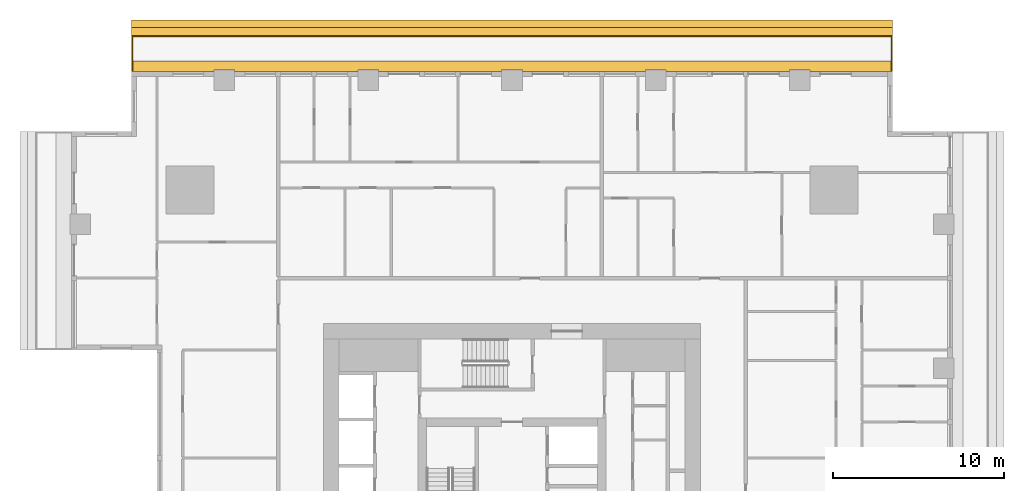
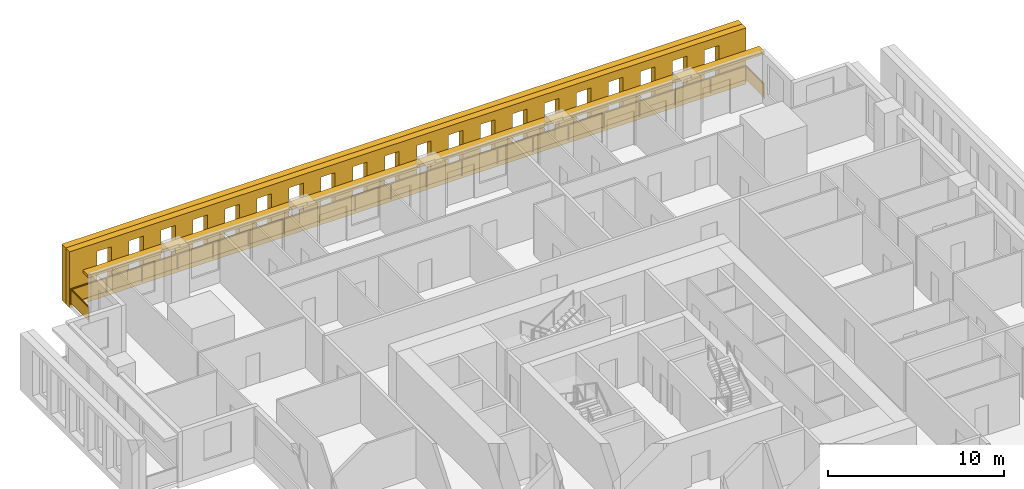
# One storey, part 14 of 14: 3 shading devices, 1 railing.
"""IFC4 building model written with IfcOpenShell, lengths in metres."""

import ifcopenshell
import ifcopenshell.guid

model = None  # the IFC model being written
_history = None  # IfcOwnerHistory: only IFC2X3 demands one
_inside = {}  # id of a spatial element -> (the spatial element, [elements in it])
_under = {}  # id of a project, library or spatial element -> (it, [spatial elements below it])
_declared = {}  # id of a project -> (the project, [libraries it declares])
_typed = {}  # id of a type object -> (the type object, [elements of that type])
_made_of = {}  # id of a material, layer set ... -> (it, [elements and type objects made of it])


def new_model(schema):
    """Start an empty IFC model of exactly this schema.

    Asked for "IFC4X3", IfcOpenShell would pick the latest addendum, in which some entities
    have other attributes; the version numbers below select the first issue.
    IFC2X3 requires an IfcOwnerHistory on every rooted entity: one is made here for all.
    """
    global model, _history
    if schema == "IFC4X3":
        model = ifcopenshell.file(schema_version=(4, 3, 0, 0))
    else:
        model = ifcopenshell.file(schema=schema)
    _inside.clear()
    _under.clear()
    _declared.clear()
    _typed.clear()
    _made_of.clear()
    _history = None
    if model.schema == "IFC2X3":
        org = make("IfcOrganization", Name="unknown")
        user = make(
            "IfcPersonAndOrganization",
            ThePerson=make("IfcPerson", FamilyName="unknown"),
            TheOrganization=org,
        )
        app = make(
            "IfcApplication",
            ApplicationDeveloper=org,
            Version="unknown",
            ApplicationFullName="unknown",
            ApplicationIdentifier="unknown",
        )
        _history = make(
            "IfcOwnerHistory",
            OwningUser=user,
            OwningApplication=app,
            ChangeAction="ADDED",
            CreationDate=0,
        )
    return model


def make(cls, **values):
    """One entity of the class cls with the attributes given. An attribute that is None is left unset."""
    return model.create_entity(
        cls, **{name: value for name, value in values.items() if value is not None}
    )


def rooted(cls, **values):
    """An entity with a GlobalId (a new one), such as an element, a storey or a relation."""
    return make(cls, GlobalId=ifcopenshell.guid.new(), OwnerHistory=_history, **values)


def si_unit(unit_type, name, prefix=None):
    """IfcSIUnit, for example si_unit("LENGTHUNIT", "METRE", prefix="MILLI")."""
    return make("IfcSIUnit", UnitType=unit_type, Prefix=prefix, Name=name)


def assignment(units):
    """IfcUnitAssignment: the units of a project."""
    return None if units is None else make("IfcUnitAssignment", Units=units)


def point(xyz):
    """IfcCartesianPoint."""
    return None if xyz is None else make("IfcCartesianPoint", Coordinates=xyz)


def direction(xyz):
    """IfcDirection."""
    return None if xyz is None else make("IfcDirection", DirectionRatios=xyz)


def frame(location, z_axis=None, x_axis=None):
    """IfcAxis2Placement3D, a coordinate frame: its origin and axes. An axis left out is left unset."""
    return make(
        "IfcAxis2Placement3D",
        Location=point(location),
        Axis=direction(z_axis),
        RefDirection=direction(x_axis),
    )


def frame_2d(location, x_axis=None):
    """IfcAxis2Placement2D, a coordinate frame in the plane: its origin and x axis."""
    return make(
        "IfcAxis2Placement2D", Location=point(location), RefDirection=direction(x_axis)
    )


def origin():
    """The frame at (0, 0, 0) with its axes left unset."""
    return frame((0.0, 0.0, 0.0))


def origin_2d():
    """The frame at (0, 0) in the plane with its x axis left unset."""
    return frame_2d((0.0, 0.0))


def place(relative_to, where):
    """IfcLocalPlacement: puts the frame where relative to a parent placement (None: the world)."""
    return make(
        "IfcLocalPlacement", PlacementRelTo=relative_to, RelativePlacement=where
    )


def context(
    kind, dimensions, precision=None, world=None, true_north=None, identifier=None
):
    """IfcGeometricRepresentationContext, for example the 3D "Model" context."""
    return make(
        "IfcGeometricRepresentationContext",
        ContextIdentifier=identifier,
        ContextType=kind,
        CoordinateSpaceDimension=dimensions,
        Precision=precision,
        WorldCoordinateSystem=world,
        TrueNorth=true_north,
    )


def subcontext(parent, identifier, kind, view, scale=None):
    """IfcGeometricRepresentationSubContext, for example "Body" below "Model"."""
    return make(
        "IfcGeometricRepresentationSubContext",
        ContextIdentifier=identifier,
        ContextType=kind,
        ParentContext=parent,
        TargetScale=scale,
        TargetView=view,
    )


def project(units=None, contexts=None):
    """IfcProject with its units and contexts."""
    return rooted(
        "IfcProject",
        Name="project",
        RepresentationContexts=contexts,
        UnitsInContext=assignment(units),
    )


def spatial(cls, under=None, at=None, **own):
    """A site, building, storey or space (cls), placed at a placement, below another one or the project."""
    s = rooted(cls, ObjectPlacement=at, **own)
    if under is not None:
        _under.setdefault(under.id(), (under, []))[1].append(s)
    return s


def polyline(points):
    """IfcPolyline through the points."""
    return make("IfcPolyline", Points=[point(p) for p in points])


def profile(cls, at=None, kind="AREA", **sizes):
    """A parametric profile (cls). Its sizes go by their IFC names, for example OverallWidth=200.0."""
    return make(cls, ProfileType=kind, Position=at, **sizes)


def rectangle(**sizes):
    """IfcRectangleProfileDef."""
    return profile("IfcRectangleProfileDef", **sizes)


def outline(outer, holes=None, kind="AREA"):
    """IfcArbitraryClosedProfileDef: a profile drawn as a closed curve; with holes, ...WithVoids."""
    if holes is None:
        return make("IfcArbitraryClosedProfileDef", ProfileType=kind, OuterCurve=outer)
    return make(
        "IfcArbitraryProfileDefWithVoids",
        ProfileType=kind,
        OuterCurve=outer,
        InnerCurves=holes,
    )


def extrude(swept, where, along, depth):
    """IfcExtrudedAreaSolid: the profile swept, set in the frame where, extruded along a direction by depth."""
    return make(
        "IfcExtrudedAreaSolid",
        SweptArea=swept,
        Position=where,
        ExtrudedDirection=direction(along),
        Depth=depth,
    )


def shape(context_of_items, identifier, shape_type, items):
    """IfcShapeRepresentation: the items that make up one representation, for example the "Body"."""
    return make(
        "IfcShapeRepresentation",
        ContextOfItems=context_of_items,
        RepresentationIdentifier=identifier,
        RepresentationType=shape_type,
        Items=items,
    )


def material(Name=None, Category=None):
    """IfcMaterial."""
    return make("IfcMaterial", Name=Name, Category=Category)


def layer(
    of_material, thickness, ventilated=None, Name=None, Category=None, Priority=None
):
    """IfcMaterialLayer: one layer of a wall or slab, of a material (None: an air gap)."""
    return make(
        "IfcMaterialLayer",
        Material=of_material,
        LayerThickness=thickness,
        IsVentilated=ventilated,
        Name=Name,
        Category=Category,
        Priority=Priority,
    )


def layer_set(layers, Name=None):
    """IfcMaterialLayerSet."""
    return make("IfcMaterialLayerSet", MaterialLayers=layers, LayerSetName=Name)


def made_of(thing, what):
    """Note that an element or type object is made of a material, layer set ...; save() writes the relation."""
    if what is not None:
        _made_of.setdefault(what.id(), (what, []))[1].append(thing)
    return thing


def type_object(cls, material=None, **own):
    """A type object (cls), such as IfcWallType, which elements share."""
    return made_of(rooted(cls, **own), material)


def element(
    cls,
    number,
    at=None,
    inside=None,
    cuts=None,
    type_object=None,
    material=None,
    context=None,
    identifier="Body",
    shape_type=None,
    held_by="IfcProductDefinitionShape",
    body=None,
    shapes=None,
    **own,
):
    """One element of the class cls, such as IfcWall. Its Tag is "e" and its number.

    at: its placement. inside: the storey or other place that contains it. cuts: it is an
    opening in that element (IfcRelVoidsElement). A single representation is given by context,
    identifier, shape_type and body (its items); several are given by shapes. held_by: the class
    of the entity that holds the representations. save() writes the other relations.
    """
    e = rooted(cls, Tag="e%d" % number, ObjectPlacement=at, **own)
    if body is not None:
        shapes = [shape(context, identifier, shape_type, body)]
    if shapes is not None:
        e.Representation = make(held_by, Representations=shapes)
    if inside is not None:
        _inside.setdefault(inside.id(), (inside, []))[1].append(e)
    if cuts is not None:
        rooted(
            "IfcRelVoidsElement", RelatingBuildingElement=cuts, RelatedOpeningElement=e
        )
    if type_object is not None:
        _typed.setdefault(type_object.id(), (type_object, []))[1].append(e)
    return made_of(e, material)


def aggregate(whole, parts):
    """IfcRelAggregates: a whole, such as a stair, and the parts it consists of."""
    return rooted("IfcRelAggregates", RelatingObject=whole, RelatedObjects=parts)


def save(model, path):
    """Write the relations noted so far, then the file.

    IfcRelAggregates (storeys below a building ...), IfcRelContainedInSpatialStructure (elements
    in a storey), IfcRelDefinesByType, IfcRelAssociatesMaterial and IfcRelDeclares: one each for
    every whole, place, type object, material and project.
    """
    for whole, parts in _under.values():
        aggregate(whole, parts)
    for where, things in _inside.values():
        rooted(
            "IfcRelContainedInSpatialStructure",
            RelatedElements=things,
            RelatingStructure=where,
        )
    for kind, things in _typed.values():
        rooted("IfcRelDefinesByType", RelatedObjects=things, RelatingType=kind)
    for what, things in _made_of.values():
        rooted("IfcRelAssociatesMaterial", RelatedObjects=things, RelatingMaterial=what)
    for by, libraries in _declared.values():
        rooted("IfcRelDeclares", RelatingContext=by, RelatedDefinitions=libraries)
    model.write(path)


model = new_model("IFC4")

# Units and contexts
model_context = context("Model", 3, precision=1e-05, world=origin(), true_north=direction((0.0, 1.0)))
body_context = subcontext(model_context, "Body", "Model", "MODEL_VIEW")
ifc_project = project(units=[si_unit("LENGTHUNIT", "METRE"), si_unit("AREAUNIT", "SQUARE_METRE"), si_unit("VOLUMEUNIT", "CUBIC_METRE"), si_unit("PLANEANGLEUNIT", "RADIAN"), si_unit("MASSUNIT", "GRAM", prefix="KILO")], contexts=[model_context])

# Site, building, storey
site_placement = place(None, origin())
site = spatial("IfcSite", under=ifc_project, at=site_placement, CompositionType="ELEMENT")
building_placement = place(site_placement, origin())
building = spatial("IfcBuilding", under=site, at=building_placement, Name="Khepri Terraces", CompositionType="ELEMENT")
storey_placement = place(building_placement, frame((0.0, 0.0, 106.5)))
storey = spatial("IfcBuildingStorey", under=building, at=storey_placement, Name="L25", CompositionType="ELEMENT", Elevation=106.5)

# Railing
ifc_material_1 = material(Name="Stainless steel grade 316", Category="steel")
railing_type = type_object("IfcRailingType", Name="GRD-BAL-1100", PredefinedType="GUARDRAIL", material=ifc_material_1)
railing_placement = place(storey_placement, frame((22.169921875, 25.719970703125, 0.0)))
element("IfcRailing", 1, at=railing_placement, inside=storey, type_object=railing_type, Name="Balcony guard L25 N", PredefinedType="GUARDRAIL", context=body_context, shape_type="SweptSolid", body=[
    extrude(rectangle(XDim=0.050048828125, YDim=0.06005859375, at=origin_2d()), frame((0.0, 0.0, 1.070068359375), z_axis=(0.0, 1.0, 0.0), x_axis=(-1.0, 0.0, 0.0)), (0.0, 0.0, 1.0), 2.050048828125),
    extrude(rectangle(XDim=2.0, YDim=0.011962890625, at=origin_2d()), frame((0.0, 1.02490234375, 0.10009765625), z_axis=(0.0, 0.0, 1.0), x_axis=(0.0, 1.0, 0.0)), (0.0, 0.0, 1.0), 0.93994140625),
    extrude(rectangle(XDim=0.050048828125, YDim=0.06005859375, at=origin_2d()), frame((0.0, 2.050048828125, 1.070068359375), z_axis=(-1.0, 0.0, 0.0), x_axis=(0.0, -1.0, 0.0)), (0.0, 0.0, 1.0), 44.33984375),
    extrude(rectangle(XDim=2.28369140625, YDim=0.011962890625, at=origin_2d()), frame((-1.166748046875, 2.050048828125, 0.10009765625), z_axis=(0.0, 0.0, 1.0), x_axis=(-1.0, 0.0, 0.0)), (0.0, 0.0, 1.0), 0.93994140625),
    extrude(rectangle(XDim=2.28369140625, YDim=0.011962890625, at=origin_2d()), frame((-3.50048828125, 2.050048828125, 0.10009765625), z_axis=(0.0, 0.0, 1.0), x_axis=(-1.0, 0.0, 0.0)), (0.0, 0.0, 1.0), 0.93994140625),
    extrude(rectangle(XDim=2.28369140625, YDim=0.011962890625, at=origin_2d()), frame((-5.834228515625, 2.050048828125, 0.10009765625), z_axis=(0.0, 0.0, 1.0), x_axis=(-1.0, 0.0, 0.0)), (0.0, 0.0, 1.0), 0.93994140625),
    extrude(rectangle(XDim=2.28369140625, YDim=0.011962890625, at=origin_2d()), frame((-8.16796875, 2.050048828125, 0.10009765625), z_axis=(0.0, 0.0, 1.0), x_axis=(-1.0, 0.0, 0.0)), (0.0, 0.0, 1.0), 0.93994140625),
    extrude(rectangle(XDim=2.28369140625, YDim=0.011962890625, at=origin_2d()), frame((-10.50146484375, 2.050048828125, 0.10009765625), z_axis=(0.0, 0.0, 1.0), x_axis=(-1.0, 0.0, 0.0)), (0.0, 0.0, 1.0), 0.93994140625),
    extrude(rectangle(XDim=2.28369140625, YDim=0.011962890625, at=origin_2d()), frame((-12.835205078125, 2.050048828125, 0.10009765625), z_axis=(0.0, 0.0, 1.0), x_axis=(-1.0, 0.0, 0.0)), (0.0, 0.0, 1.0), 0.93994140625),
    extrude(rectangle(XDim=2.28369140625, YDim=0.011962890625, at=origin_2d()), frame((-15.1689453125, 2.050048828125, 0.10009765625), z_axis=(0.0, 0.0, 1.0), x_axis=(-1.0, 0.0, 0.0)), (0.0, 0.0, 1.0), 0.93994140625),
    extrude(rectangle(XDim=2.28369140625, YDim=0.011962890625, at=origin_2d()), frame((-17.502685546875, 2.050048828125, 0.10009765625), z_axis=(0.0, 0.0, 1.0), x_axis=(-1.0, 0.0, 0.0)), (0.0, 0.0, 1.0), 0.93994140625),
    extrude(rectangle(XDim=2.28369140625, YDim=0.011962890625, at=origin_2d()), frame((-19.836181640625, 2.050048828125, 0.10009765625), z_axis=(0.0, 0.0, 1.0), x_axis=(-1.0, 0.0, 0.0)), (0.0, 0.0, 1.0), 0.93994140625),
    extrude(rectangle(XDim=2.28369140625, YDim=0.011962890625, at=origin_2d()), frame((-22.169921875, 2.050048828125, 0.10009765625), z_axis=(0.0, 0.0, 1.0), x_axis=(-1.0, 0.0, 0.0)), (0.0, 0.0, 1.0), 0.93994140625),
    extrude(rectangle(XDim=2.28369140625, YDim=0.011962890625, at=origin_2d()), frame((-24.503662109375, 2.050048828125, 0.10009765625), z_axis=(0.0, 0.0, 1.0), x_axis=(-1.0, 0.0, 0.0)), (0.0, 0.0, 1.0), 0.93994140625),
    extrude(rectangle(XDim=2.28369140625, YDim=0.011962890625, at=origin_2d()), frame((-26.837158203125, 2.050048828125, 0.10009765625), z_axis=(0.0, 0.0, 1.0), x_axis=(-1.0, 0.0, 0.0)), (0.0, 0.0, 1.0), 0.93994140625),
    extrude(rectangle(XDim=2.28369140625, YDim=0.011962890625, at=origin_2d()), frame((-29.1708984375, 2.050048828125, 0.10009765625), z_axis=(0.0, 0.0, 1.0), x_axis=(-1.0, 0.0, 0.0)), (0.0, 0.0, 1.0), 0.93994140625),
    extrude(rectangle(XDim=2.28369140625, YDim=0.011962890625, at=origin_2d()), frame((-31.504638671875, 2.050048828125, 0.10009765625), z_axis=(0.0, 0.0, 1.0), x_axis=(-1.0, 0.0, 0.0)), (0.0, 0.0, 1.0), 0.93994140625),
    extrude(rectangle(XDim=2.28369140625, YDim=0.011962890625, at=origin_2d()), frame((-33.83837890625, 2.050048828125, 0.10009765625), z_axis=(0.0, 0.0, 1.0), x_axis=(-1.0, 0.0, 0.0)), (0.0, 0.0, 1.0), 0.93994140625),
    extrude(rectangle(XDim=2.28369140625, YDim=0.011962890625, at=origin_2d()), frame((-36.171875, 2.050048828125, 0.10009765625), z_axis=(0.0, 0.0, 1.0), x_axis=(-1.0, 0.0, 0.0)), (0.0, 0.0, 1.0), 0.93994140625),
    extrude(rectangle(XDim=2.28369140625, YDim=0.011962890625, at=origin_2d()), frame((-38.505615234375, 2.050048828125, 0.10009765625), z_axis=(0.0, 0.0, 1.0), x_axis=(-1.0, 0.0, 0.0)), (0.0, 0.0, 1.0), 0.93994140625),
    extrude(rectangle(XDim=2.28369140625, YDim=0.011962890625, at=origin_2d()), frame((-40.83935546875, 2.050048828125, 0.10009765625), z_axis=(0.0, 0.0, 1.0), x_axis=(-1.0, 0.0, 0.0)), (0.0, 0.0, 1.0), 0.93994140625),
    extrude(rectangle(XDim=2.28369140625, YDim=0.011962890625, at=origin_2d()), frame((-43.173095703125, 2.050048828125, 0.10009765625), z_axis=(0.0, 0.0, 1.0), x_axis=(-1.0, 0.0, 0.0)), (0.0, 0.0, 1.0), 0.93994140625),
    extrude(rectangle(XDim=0.050048828125, YDim=0.06005859375, at=origin_2d()), frame((-44.33984375, 2.050048828125, 1.070068359375), z_axis=(0.0, -1.0, 0.0), x_axis=(1.0, 0.0, 0.0)), (0.0, 0.0, 1.0), 2.050048828125),
    extrude(rectangle(XDim=2.0, YDim=0.011962890625, at=origin_2d()), frame((-44.33984375, 1.02490234375, 0.10009765625), z_axis=(0.0, 0.0, 1.0), x_axis=(0.0, -1.0, 0.0)), (0.0, 0.0, 1.0), 0.93994140625),
    extrude(rectangle(XDim=0.050048828125, YDim=0.050048828125, at=origin_2d()), origin(), (0.0, 0.0, 1.0), 1.0400390625),
    extrude(rectangle(XDim=0.050048828125, YDim=0.050048828125, at=origin_2d()), frame((0.0, 2.050048828125, 0.0)), (0.0, 0.0, 1.0), 1.0400390625),
    extrude(rectangle(XDim=0.050048828125, YDim=0.050048828125, at=origin_2d()), frame((-2.333740234375, 2.050048828125, 0.0)), (0.0, 0.0, 1.0), 1.0400390625),
    extrude(rectangle(XDim=0.050048828125, YDim=0.050048828125, at=origin_2d()), frame((-4.667236328125, 2.050048828125, 0.0)), (0.0, 0.0, 1.0), 1.0400390625),
    extrude(rectangle(XDim=0.050048828125, YDim=0.050048828125, at=origin_2d()), frame((-7.0009765625, 2.050048828125, 0.0)), (0.0, 0.0, 1.0), 1.0400390625),
    extrude(rectangle(XDim=0.050048828125, YDim=0.050048828125, at=origin_2d()), frame((-9.334716796875, 2.050048828125, 0.0)), (0.0, 0.0, 1.0), 1.0400390625),
    extrude(rectangle(XDim=0.050048828125, YDim=0.050048828125, at=origin_2d()), frame((-11.66845703125, 2.050048828125, 0.0)), (0.0, 0.0, 1.0), 1.0400390625),
    extrude(rectangle(XDim=0.050048828125, YDim=0.050048828125, at=origin_2d()), frame((-14.001953125, 2.050048828125, 0.0)), (0.0, 0.0, 1.0), 1.0400390625),
    extrude(rectangle(XDim=0.050048828125, YDim=0.050048828125, at=origin_2d()), frame((-16.335693359375, 2.050048828125, 0.0)), (0.0, 0.0, 1.0), 1.0400390625),
    extrude(rectangle(XDim=0.050048828125, YDim=0.050048828125, at=origin_2d()), frame((-18.66943359375, 2.050048828125, 0.0)), (0.0, 0.0, 1.0), 1.0400390625),
    extrude(rectangle(XDim=0.050048828125, YDim=0.050048828125, at=origin_2d()), frame((-21.003173828125, 2.050048828125, 0.0)), (0.0, 0.0, 1.0), 1.0400390625),
    extrude(rectangle(XDim=0.050048828125, YDim=0.050048828125, at=origin_2d()), frame((-23.336669921875, 2.050048828125, 0.0)), (0.0, 0.0, 1.0), 1.0400390625),
    extrude(rectangle(XDim=0.050048828125, YDim=0.050048828125, at=origin_2d()), frame((-25.67041015625, 2.050048828125, 0.0)), (0.0, 0.0, 1.0), 1.0400390625),
    extrude(rectangle(XDim=0.050048828125, YDim=0.050048828125, at=origin_2d()), frame((-28.004150390625, 2.050048828125, 0.0)), (0.0, 0.0, 1.0), 1.0400390625),
    extrude(rectangle(XDim=0.050048828125, YDim=0.050048828125, at=origin_2d()), frame((-30.337890625, 2.050048828125, 0.0)), (0.0, 0.0, 1.0), 1.0400390625),
    extrude(rectangle(XDim=0.050048828125, YDim=0.050048828125, at=origin_2d()), frame((-32.67138671875, 2.050048828125, 0.0)), (0.0, 0.0, 1.0), 1.0400390625),
    extrude(rectangle(XDim=0.050048828125, YDim=0.050048828125, at=origin_2d()), frame((-35.005126953125, 2.050048828125, 0.0)), (0.0, 0.0, 1.0), 1.0400390625),
    extrude(rectangle(XDim=0.050048828125, YDim=0.050048828125, at=origin_2d()), frame((-37.3388671875, 2.050048828125, 0.0)), (0.0, 0.0, 1.0), 1.0400390625),
    extrude(rectangle(XDim=0.050048828125, YDim=0.050048828125, at=origin_2d()), frame((-39.672607421875, 2.050048828125, 0.0)), (0.0, 0.0, 1.0), 1.0400390625),
    extrude(rectangle(XDim=0.050048828125, YDim=0.050048828125, at=origin_2d()), frame((-42.006103515625, 2.050048828125, 0.0)), (0.0, 0.0, 1.0), 1.0400390625),
    extrude(rectangle(XDim=0.050048828125, YDim=0.050048828125, at=origin_2d()), frame((-44.33984375, 2.050048828125, 0.0)), (0.0, 0.0, 1.0), 1.0400390625),
    extrude(rectangle(XDim=0.050048828125, YDim=0.050048828125, at=origin_2d()), frame((-44.33984375, 0.0, 0.0)), (0.0, 0.0, 1.0), 1.0400390625),
])

# Shading devices
ifc_material_2 = material(Name="Precast concrete C50/60 warm stone", Category="masonry")
shading_device_type_1 = type_object("IfcShadingDeviceType", Name="SCR-CELL-INNER-450", PredefinedType="USERDEFINED", material=ifc_material_2)
shading_device_1_placement = place(storey_placement, frame((22.219970703125, 27.820068359375, -0.25), z_axis=(0.0, 1.0, 0.0), x_axis=(-1.0, 0.0, 0.0)))
element("IfcShadingDevice", 2, at=shading_device_1_placement, inside=storey, type_object=shading_device_type_1, Name="Cell screen L25 N in", ObjectType="SCREEN", PredefinedType="USERDEFINED", context=body_context, shape_type="SweptSolid", body=[
    extrude(outline(polyline([(0.0, 0.0), (44.43994140625, 0.0), (44.43994140625, 3.89990234375), (0.0, 3.89990234375), (0.0, 0.0)]), holes=[polyline([(1.797607421875, 0.699951171875), (2.742431640625, 0.699951171875), (2.742431640625, 3.300048828125), (1.797607421875, 3.300048828125), (1.797607421875, 0.699951171875)]), polyline([(3.8974609375, 0.699951171875), (4.842529296875, 0.699951171875), (4.842529296875, 3.300048828125), (3.8974609375, 3.300048828125), (3.8974609375, 0.699951171875)]), polyline([(5.99755859375, 0.699951171875), (6.9423828125, 0.699951171875), (6.9423828125, 3.300048828125), (5.99755859375, 3.300048828125), (5.99755859375, 0.699951171875)]), polyline([(8.097412109375, 0.699951171875), (9.04248046875, 0.699951171875), (9.04248046875, 3.300048828125), (8.097412109375, 3.300048828125), (8.097412109375, 0.699951171875)]), polyline([(10.197509765625, 0.699951171875), (11.142578125, 0.699951171875), (11.142578125, 3.300048828125), (10.197509765625, 3.300048828125), (10.197509765625, 0.699951171875)]), polyline([(12.297607421875, 0.699951171875), (13.242431640625, 0.699951171875), (13.242431640625, 3.300048828125), (12.297607421875, 3.300048828125), (12.297607421875, 0.699951171875)]), polyline([(14.3974609375, 0.699951171875), (15.342529296875, 0.699951171875), (15.342529296875, 3.300048828125), (14.3974609375, 3.300048828125), (14.3974609375, 0.699951171875)]), polyline([(16.49755859375, 0.699951171875), (17.4423828125, 0.699951171875), (17.4423828125, 3.300048828125), (16.49755859375, 3.300048828125), (16.49755859375, 0.699951171875)]), polyline([(18.597412109375, 0.699951171875), (19.54248046875, 0.699951171875), (19.54248046875, 3.300048828125), (18.597412109375, 3.300048828125), (18.597412109375, 0.699951171875)]), polyline([(20.697509765625, 0.699951171875), (21.642578125, 0.699951171875), (21.642578125, 3.300048828125), (20.697509765625, 3.300048828125), (20.697509765625, 0.699951171875)]), polyline([(22.797607421875, 0.699951171875), (23.742431640625, 0.699951171875), (23.742431640625, 3.300048828125), (22.797607421875, 3.300048828125), (22.797607421875, 0.699951171875)]), polyline([(24.8974609375, 0.699951171875), (25.842529296875, 0.699951171875), (25.842529296875, 3.300048828125), (24.8974609375, 3.300048828125), (24.8974609375, 0.699951171875)]), polyline([(26.99755859375, 0.699951171875), (27.9423828125, 0.699951171875), (27.9423828125, 3.300048828125), (26.99755859375, 3.300048828125), (26.99755859375, 0.699951171875)]), polyline([(29.097412109375, 0.699951171875), (30.04248046875, 0.699951171875), (30.04248046875, 3.300048828125), (29.097412109375, 3.300048828125), (29.097412109375, 0.699951171875)]), polyline([(31.197509765625, 0.699951171875), (32.142578125, 0.699951171875), (32.142578125, 3.300048828125), (31.197509765625, 3.300048828125), (31.197509765625, 0.699951171875)]), polyline([(33.297607421875, 0.699951171875), (34.242431640625, 0.699951171875), (34.242431640625, 3.300048828125), (33.297607421875, 3.300048828125), (33.297607421875, 0.699951171875)]), polyline([(35.3974609375, 0.699951171875), (36.342529296875, 0.699951171875), (36.342529296875, 3.300048828125), (35.3974609375, 3.300048828125), (35.3974609375, 0.699951171875)]), polyline([(37.49755859375, 0.699951171875), (38.4423828125, 0.699951171875), (38.4423828125, 3.300048828125), (37.49755859375, 3.300048828125), (37.49755859375, 0.699951171875)]), polyline([(39.597412109375, 0.699951171875), (40.54248046875, 0.699951171875), (40.54248046875, 3.300048828125), (39.597412109375, 3.300048828125), (39.597412109375, 0.699951171875)]), polyline([(41.697509765625, 0.699951171875), (42.642578125, 0.699951171875), (42.642578125, 3.300048828125), (41.697509765625, 3.300048828125), (41.697509765625, 0.699951171875)])]), origin(), (0.0, 0.0, 1.0), 0.449951171875),
])
shading_device_type_2 = type_object("IfcShadingDeviceType", Name="SCR-CELL-OUTER-450", PredefinedType="USERDEFINED", material=ifc_material_2)
shading_device_2_placement = place(storey_placement, frame((22.219970703125, 28.27001953125, -0.25), z_axis=(0.0, 1.0, 0.0), x_axis=(-1.0, 0.0, 0.0)))
element("IfcShadingDevice", 3, at=shading_device_2_placement, inside=storey, type_object=shading_device_type_2, Name="Cell screen L25 N out", ObjectType="SCREEN", PredefinedType="USERDEFINED", context=body_context, shape_type="SweptSolid", body=[
    extrude(outline(polyline([(0.0, 0.0), (44.43994140625, 0.0), (44.43994140625, 3.89990234375), (0.0, 3.89990234375), (0.0, 0.0)]), holes=[polyline([(1.447509765625, 0.449951171875), (3.092529296875, 0.449951171875), (3.092529296875, 3.550048828125), (1.447509765625, 3.550048828125), (1.447509765625, 0.449951171875)]), polyline([(3.547607421875, 0.449951171875), (5.1923828125, 0.449951171875), (5.1923828125, 3.550048828125), (3.547607421875, 3.550048828125), (3.547607421875, 0.449951171875)]), polyline([(5.6474609375, 0.449951171875), (7.29248046875, 0.449951171875), (7.29248046875, 3.550048828125), (5.6474609375, 3.550048828125), (5.6474609375, 0.449951171875)]), polyline([(7.74755859375, 0.449951171875), (9.392578125, 0.449951171875), (9.392578125, 3.550048828125), (7.74755859375, 3.550048828125), (7.74755859375, 0.449951171875)]), polyline([(9.847412109375, 0.449951171875), (11.492431640625, 0.449951171875), (11.492431640625, 3.550048828125), (9.847412109375, 3.550048828125), (9.847412109375, 0.449951171875)]), polyline([(11.947509765625, 0.449951171875), (13.592529296875, 0.449951171875), (13.592529296875, 3.550048828125), (11.947509765625, 3.550048828125), (11.947509765625, 0.449951171875)]), polyline([(14.047607421875, 0.449951171875), (15.6923828125, 0.449951171875), (15.6923828125, 3.550048828125), (14.047607421875, 3.550048828125), (14.047607421875, 0.449951171875)]), polyline([(16.1474609375, 0.449951171875), (17.79248046875, 0.449951171875), (17.79248046875, 3.550048828125), (16.1474609375, 3.550048828125), (16.1474609375, 0.449951171875)]), polyline([(18.24755859375, 0.449951171875), (19.892578125, 0.449951171875), (19.892578125, 3.550048828125), (18.24755859375, 3.550048828125), (18.24755859375, 0.449951171875)]), polyline([(20.347412109375, 0.449951171875), (21.992431640625, 0.449951171875), (21.992431640625, 3.550048828125), (20.347412109375, 3.550048828125), (20.347412109375, 0.449951171875)]), polyline([(22.447509765625, 0.449951171875), (24.092529296875, 0.449951171875), (24.092529296875, 3.550048828125), (22.447509765625, 3.550048828125), (22.447509765625, 0.449951171875)]), polyline([(24.547607421875, 0.449951171875), (26.1923828125, 0.449951171875), (26.1923828125, 3.550048828125), (24.547607421875, 3.550048828125), (24.547607421875, 0.449951171875)]), polyline([(26.6474609375, 0.449951171875), (28.29248046875, 0.449951171875), (28.29248046875, 3.550048828125), (26.6474609375, 3.550048828125), (26.6474609375, 0.449951171875)]), polyline([(28.74755859375, 0.449951171875), (30.392578125, 0.449951171875), (30.392578125, 3.550048828125), (28.74755859375, 3.550048828125), (28.74755859375, 0.449951171875)]), polyline([(30.847412109375, 0.449951171875), (32.492431640625, 0.449951171875), (32.492431640625, 3.550048828125), (30.847412109375, 3.550048828125), (30.847412109375, 0.449951171875)]), polyline([(32.947509765625, 0.449951171875), (34.592529296875, 0.449951171875), (34.592529296875, 3.550048828125), (32.947509765625, 3.550048828125), (32.947509765625, 0.449951171875)]), polyline([(35.047607421875, 0.449951171875), (36.6923828125, 0.449951171875), (36.6923828125, 3.550048828125), (35.047607421875, 3.550048828125), (35.047607421875, 0.449951171875)]), polyline([(37.1474609375, 0.449951171875), (38.79248046875, 0.449951171875), (38.79248046875, 3.550048828125), (37.1474609375, 3.550048828125), (37.1474609375, 0.449951171875)]), polyline([(39.24755859375, 0.449951171875), (40.892578125, 0.449951171875), (40.892578125, 3.550048828125), (39.24755859375, 3.550048828125), (39.24755859375, 0.449951171875)]), polyline([(41.347412109375, 0.449951171875), (42.992431640625, 0.449951171875), (42.992431640625, 3.550048828125), (41.347412109375, 3.550048828125), (41.347412109375, 0.449951171875)])]), origin(), (0.0, 0.0, 1.0), 0.449951171875),
])
ifc_layer = layer(ifc_material_2, 0.199951171875, Name="Precast concrete C50/60 warm stone", Category="masonry")
ifc_layer_set = layer_set([ifc_layer], Name="Precast concrete C50/60 warm stone")
shading_device_type_3 = type_object("IfcShadingDeviceType", Name="SSH-BAND-STONE-200-N", PredefinedType="USERDEFINED", material=ifc_layer_set)
shading_device_3_placement = place(storey_placement, frame((0.0, 0.0, 3.10009765625)))
element("IfcShadingDevice", 4, at=shading_device_3_placement, inside=storey, type_object=shading_device_type_3, Name="Sunshade band L25 N", ObjectType="SUNSHADE", PredefinedType="USERDEFINED", context=body_context, shape_type="SweptSolid", body=[
    extrude(outline(polyline([(17.39990234375, 25.719970703125), (22.219970703125, 25.719970703125), (22.219970703125, 26.320068359375), (-22.219970703125, 26.320068359375), (-22.219970703125, 25.719970703125), (-17.39990234375, 25.719970703125), (-17.39990234375, 25.800048828125), (-16.199951171875, 25.800048828125), (-16.199951171875, 25.719970703125), (-9.0, 25.719970703125), (-9.0, 25.800048828125), (-7.800048828125, 25.800048828125), (-7.800048828125, 25.719970703125), (-0.60009765625, 25.719970703125), (-0.60009765625, 25.800048828125), (0.60009765625, 25.800048828125), (0.60009765625, 25.719970703125), (7.800048828125, 25.719970703125), (7.800048828125, 25.800048828125), (9.0, 25.800048828125), (9.0, 25.719970703125), (16.199951171875, 25.719970703125), (16.199951171875, 25.800048828125), (17.39990234375, 25.800048828125), (17.39990234375, 25.719970703125)])), origin(), (0.0, 0.0, 1.0), 0.199951171875),
])

save(model, "model.ifc")
